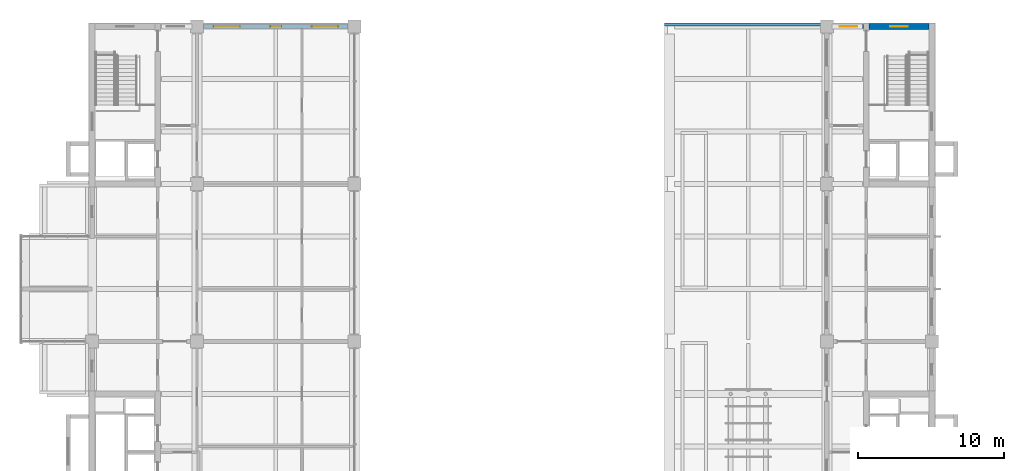
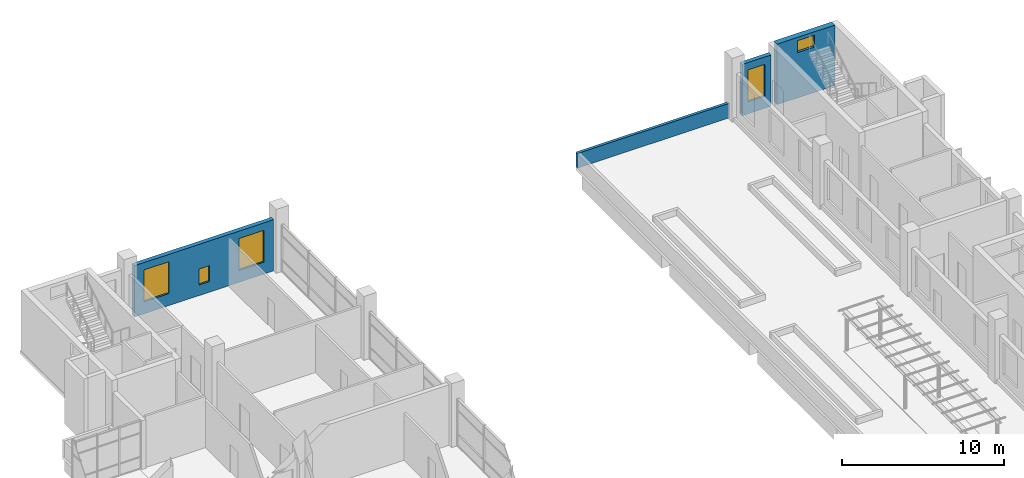
# One storey, part 29 of 32: 5 windows, 4 walls, 5 openings.
"""IFC4 building model written with IfcOpenShell, lengths in metres."""

from ifc_helpers import new_model, si_unit, direction, frame, frame_2d, origin, place, context, subcontext, project, spatial, rectangle, extrude, material, layer, layer_set, type_object, element, fill, save


model = new_model("IFC4")

# Units and contexts
model_context = context("Model", 3, precision=1e-05, world=origin(), true_north=direction((0.0, 1.0)))
body_context = subcontext(model_context, "Body", "Model", "MODEL_VIEW")
ifc_project = project(units=[si_unit("LENGTHUNIT", "METRE"), si_unit("AREAUNIT", "SQUARE_METRE"), si_unit("VOLUMEUNIT", "CUBIC_METRE"), si_unit("PLANEANGLEUNIT", "RADIAN"), si_unit("MASSUNIT", "GRAM", prefix="KILO")], contexts=[model_context])

# Site, building, storey
site_placement = place(None, origin())
site = spatial("IfcSite", under=ifc_project, at=site_placement, CompositionType="ELEMENT")
building_placement = place(site_placement, origin())
building = spatial("IfcBuilding", under=site, at=building_placement, Name="Basin Gate Institute", CompositionType="ELEMENT")
storey_placement = place(building_placement, frame((0.0, 0.0, 41.39990234375)))
storey = spatial("IfcBuildingStorey", under=building, at=storey_placement, Name="L08", CompositionType="ELEMENT", Elevation=41.39990234375)

# Wall, openings, windows
ifc_material_1 = material(Name="Aluminium-faced insulated panel wall", Category="aluminium")
ifc_layer_1 = layer(ifc_material_1, 0.300048828125)
ifc_layer_set_1 = layer_set([ifc_layer_1], Name="External wall EW1 EI 120")
wall_type_1 = type_object("IfcWallType", Name="External wall EW1 EI 120", PredefinedType="STANDARD", material=ifc_layer_set_1)
wall_1_placement = place(storey_placement, frame((68.85009765625, 99.89990234375, 0.0), z_axis=(0.0, 0.0, 1.0), x_axis=(1.0, 0.0, 0.0)))
wall_1 = element("IfcWall", 1, at=wall_1_placement, inside=storey, type_object=wall_type_1, material=ifc_layer_set_1, Name="External end wall W wing north L08 2", PredefinedType="STANDARD", context=body_context, shape_type="SweptSolid", body=[
    extrude(rectangle(XDim=9.89990234375, YDim=0.300048828125, at=frame_2d((4.949951171875, 0.0))), origin(), (0.0, 0.0, 1.0), 3.85009765625),
])
opening_1_placement = place(wall_1_placement, frame((0.675048828125, 0.0, 0.89990234375)))
opening_1 = element("IfcOpeningElement", 2, at=opening_1_placement, cuts=wall_1, Name="Opening WV1", PredefinedType="OPENING", context=body_context, shape_type="SweptSolid", body=[
    extrude(rectangle(XDim=1.800048828125, YDim=2.39990234375, at=frame_2d((0.89990234375, 1.199951171875))), frame((0.0, 0.16015625, 0.0), z_axis=(0.0, -1.0, 0.0), x_axis=(1.0, 0.0, 0.0)), (0.0, 0.0, 1.0), 0.320068359375),
])
opening_2_placement = place(wall_1_placement, frame((4.574951171875, 0.0, 0.800048828125)))
opening_2 = element("IfcOpeningElement", 3, at=opening_2_placement, cuts=wall_1, Name="Opening WN3", PredefinedType="OPENING", context=body_context, shape_type="SweptSolid", body=[
    extrude(rectangle(XDim=0.75, YDim=1.199951171875, at=frame_2d((0.375, 0.60009765625))), frame((0.0, 0.16015625, 0.0), z_axis=(0.0, -1.0, 0.0), x_axis=(1.0, 0.0, 0.0)), (0.0, 0.0, 1.0), 0.320068359375),
])
opening_3_placement = place(wall_1_placement, frame((7.425048828125, 0.0, 0.89990234375)))
opening_3 = element("IfcOpeningElement", 4, at=opening_3_placement, cuts=wall_1, Name="Opening WV1", PredefinedType="OPENING", context=body_context, shape_type="SweptSolid", body=[
    extrude(rectangle(XDim=1.800048828125, YDim=2.39990234375, at=frame_2d((0.89990234375, 1.199951171875))), frame((0.0, 0.16015625, 0.0), z_axis=(0.0, -1.0, 0.0), x_axis=(1.0, 0.0, 0.0)), (0.0, 0.0, 1.0), 0.320068359375),
])
ifc_material_2 = material(Name="Aluminium-framed double glazing", Category="aluminium")
window_type_1 = type_object("IfcWindowType", Name="Emergency entry panel WN3", PartitioningType="SINGLE_PANEL", PredefinedType="WINDOW", material=ifc_material_2)
window_1_placement = place(opening_2_placement, origin())
window_1 = element("IfcWindow", 5, at=window_1_placement, inside=storey, type_object=window_type_1, material=ifc_material_2, Name="Emergency entry panel W wing end N L08 bay 2", OverallHeight=1.199951171875, OverallWidth=0.75, PartitioningType="SINGLE_PANEL", PredefinedType="WINDOW", context=body_context, shape_type="SweptSolid", body=[
    extrude(rectangle(XDim=0.75, YDim=1.199951171875, at=frame_2d((0.375, 0.60009765625))), frame((0.0, 0.030029296875, 0.0), z_axis=(0.0, -1.0, 0.0), x_axis=(1.0, 0.0, 0.0)), (0.0, 0.0, 1.0), 0.06005859375),
])
fill(opening_2, window_1)
ifc_material_3 = material(Name="Aluminium louvre blades", Category="aluminium")
window_type_2 = type_object("IfcWindowType", Name="Services louvre panel WV1", PartitioningType="SINGLE_PANEL", PredefinedType="WINDOW", material=ifc_material_3)
window_2_placement = place(opening_1_placement, origin())
window_2 = element("IfcWindow", 6, at=window_2_placement, inside=storey, type_object=window_type_2, material=ifc_material_3, Name="Services louvre panel W wing end N L08 bay 1", OverallHeight=2.39990234375, OverallWidth=1.800048828125, PartitioningType="SINGLE_PANEL", PredefinedType="WINDOW", context=body_context, shape_type="SweptSolid", body=[
    extrude(rectangle(XDim=1.800048828125, YDim=2.39990234375, at=frame_2d((0.89990234375, 1.199951171875))), frame((0.0, 0.030029296875, 0.0), z_axis=(0.0, -1.0, 0.0), x_axis=(1.0, 0.0, 0.0)), (0.0, 0.0, 1.0), 0.06005859375),
])
fill(opening_1, window_2)
window_3_placement = place(opening_3_placement, origin())
window_3 = element("IfcWindow", 7, at=window_3_placement, inside=storey, type_object=window_type_2, material=ifc_material_3, Name="Services louvre panel W wing end N L08 bay 3", OverallHeight=2.39990234375, OverallWidth=1.800048828125, PartitioningType="SINGLE_PANEL", PredefinedType="WINDOW", context=body_context, shape_type="SweptSolid", body=[
    extrude(rectangle(XDim=1.800048828125, YDim=2.39990234375, at=frame_2d((0.89990234375, 1.199951171875))), frame((0.0, 0.030029296875, 0.0), z_axis=(0.0, -1.0, 0.0), x_axis=(1.0, 0.0, 0.0)), (0.0, 0.0, 1.0), 0.06005859375),
])
fill(opening_3, window_3)

# Wall, opening, window
wall_2_placement = place(storey_placement, frame((114.10009765625, 99.89990234375, 0.0), z_axis=(0.0, 0.0, 1.0), x_axis=(-1.0, 0.0, 0.0)))
wall_2 = element("IfcWall", 8, at=wall_2_placement, inside=storey, type_object=wall_type_1, material=ifc_layer_set_1, Name="External end wall E wing north L08 1", PredefinedType="STANDARD", context=body_context, shape_type="SweptSolid", body=[
    extrude(rectangle(XDim=2.050048828125, YDim=0.300048828125, at=frame_2d((1.02490234375, 0.0))), origin(), (0.0, 0.0, 1.0), 3.85009765625),
])
opening_4_placement = place(wall_2_placement, frame((0.425048828125, 0.0, 0.89990234375)))
opening_4 = element("IfcOpeningElement", 9, at=opening_4_placement, cuts=wall_2, Name="Opening WN4", PredefinedType="OPENING", context=body_context, shape_type="SweptSolid", body=[
    extrude(rectangle(XDim=1.199951171875, YDim=2.39990234375, at=frame_2d((0.60009765625, 1.199951171875))), frame((0.0, 0.16015625, 0.0), z_axis=(0.0, -1.0, 0.0), x_axis=(1.0, 0.0, 0.0)), (0.0, 0.0, 1.0), 0.320068359375),
])
ifc_material_4 = material(Name="Aluminium-framed double glazing", Category="aluminium")
window_type_3 = type_object("IfcWindowType", Name="Corridor end window WN4", PartitioningType="SINGLE_PANEL", PredefinedType="WINDOW", material=ifc_material_4)
window_4_placement = place(opening_4_placement, origin())
window_4 = element("IfcWindow", 10, at=window_4_placement, inside=storey, type_object=window_type_3, material=ifc_material_4, Name="Corridor end window E wing N L08", OverallHeight=2.39990234375, OverallWidth=1.199951171875, PartitioningType="SINGLE_PANEL", PredefinedType="WINDOW", context=body_context, shape_type="SweptSolid", body=[
    extrude(rectangle(XDim=1.199951171875, YDim=2.39990234375, at=frame_2d((0.60009765625, 1.199951171875))), frame((0.0, 0.030029296875, 0.0), z_axis=(0.0, -1.0, 0.0), x_axis=(1.0, 0.0, 0.0)), (0.0, 0.0, 1.0), 0.06005859375),
])
fill(opening_4, window_4)

# Wall
ifc_material_5 = material(Name="Concrete 40 MPa", Category="concrete")
ifc_layer_2 = layer(ifc_material_5, 0.199951171875)
ifc_layer_set_2 = layer_set([ifc_layer_2], Name="Concrete 40 MPa")
wall_type_2 = type_object("IfcWallType", Name="Parapet wall PA6", PredefinedType="PARAPET", material=ifc_layer_set_2)
wall_3_placement = place(storey_placement, frame((100.449951171875, 100.050048828125, 0.0), z_axis=(0.0, 0.0, 1.0), x_axis=(1.0, 0.0, 0.0)))
element("IfcWall", 11, at=wall_3_placement, inside=storey, type_object=wall_type_2, material=ifc_layer_set_2, Name="Parapet wall PA6 L08 E3", PredefinedType="PARAPET", context=body_context, shape_type="SweptSolid", body=[
    extrude(rectangle(XDim=10.800048828125, YDim=0.199951171875, at=frame_2d((5.39990234375, 0.0))), origin(), (0.0, 0.0, 1.0), 1.10009765625),
])

# Wall, opening, window
ifc_material_6 = material(Name="Concrete 50 MPa", Category="concrete")
ifc_layer_3 = layer(ifc_material_6, 0.39990234375)
ifc_layer_set_3 = layer_set([ifc_layer_3], Name="Concrete 50 MPa")
wall_type_3 = type_object("IfcWallType", Name="Wall SW2 R120", PredefinedType="SHEAR", material=ifc_layer_set_3)
wall_4_placement = place(storey_placement, frame((118.60009765625, 99.89990234375, 0.0), z_axis=(0.0, 0.0, 1.0), x_axis=(-1.0, 0.0, 0.0)))
wall_4 = element("IfcWall", 12, at=wall_4_placement, inside=storey, type_object=wall_type_3, material=ifc_layer_set_3, Name="WALL/L08/EN/N", PredefinedType="SHEAR", context=body_context, shape_type="SweptSolid", body=[
    extrude(rectangle(XDim=4.10009765625, YDim=0.39990234375, at=frame_2d((2.050048828125, 0.0))), origin(), (0.0, 0.0, 1.0), 4.550048828125),
])
opening_5_placement = place(wall_4_placement, frame((1.449951171875, 0.0, 3.39990234375)))
opening_5 = element("IfcOpeningElement", 13, at=opening_5_placement, cuts=wall_4, Name="Opening WT2", PredefinedType="OPENING", context=body_context, shape_type="SweptSolid", body=[
    extrude(rectangle(XDim=1.199951171875, YDim=0.89990234375, at=frame_2d((0.60009765625, 0.449951171875))), frame((0.0, 0.2099609375, 0.0), z_axis=(0.0, -1.0, 0.0), x_axis=(1.0, 0.0, 0.0)), (0.0, 0.0, 1.0), 0.419921875),
])
ifc_material_7 = material(Name="Fire-resistant glazing in steel-free frame", Category="steel")
window_type_4 = type_object("IfcWindowType", Name="Rated stair window EI 120 WT2", PartitioningType="SINGLE_PANEL", PredefinedType="WINDOW", material=ifc_material_7)
window_5_placement = place(opening_5_placement, origin())
window_5 = element("IfcWindow", 14, at=window_5_placement, inside=storey, type_object=window_type_4, material=ifc_material_7, Name="Rated stair window EI 120 EN end L08", OverallHeight=0.89990234375, OverallWidth=1.199951171875, PartitioningType="SINGLE_PANEL", PredefinedType="WINDOW", context=body_context, shape_type="SweptSolid", body=[
    extrude(rectangle(XDim=1.199951171875, YDim=0.89990234375, at=frame_2d((0.60009765625, 0.449951171875))), frame((0.0, 0.030029296875, 0.0), z_axis=(0.0, -1.0, 0.0), x_axis=(1.0, 0.0, 0.0)), (0.0, 0.0, 1.0), 0.06005859375),
])
fill(opening_5, window_5)

save(model, "model.ifc")
